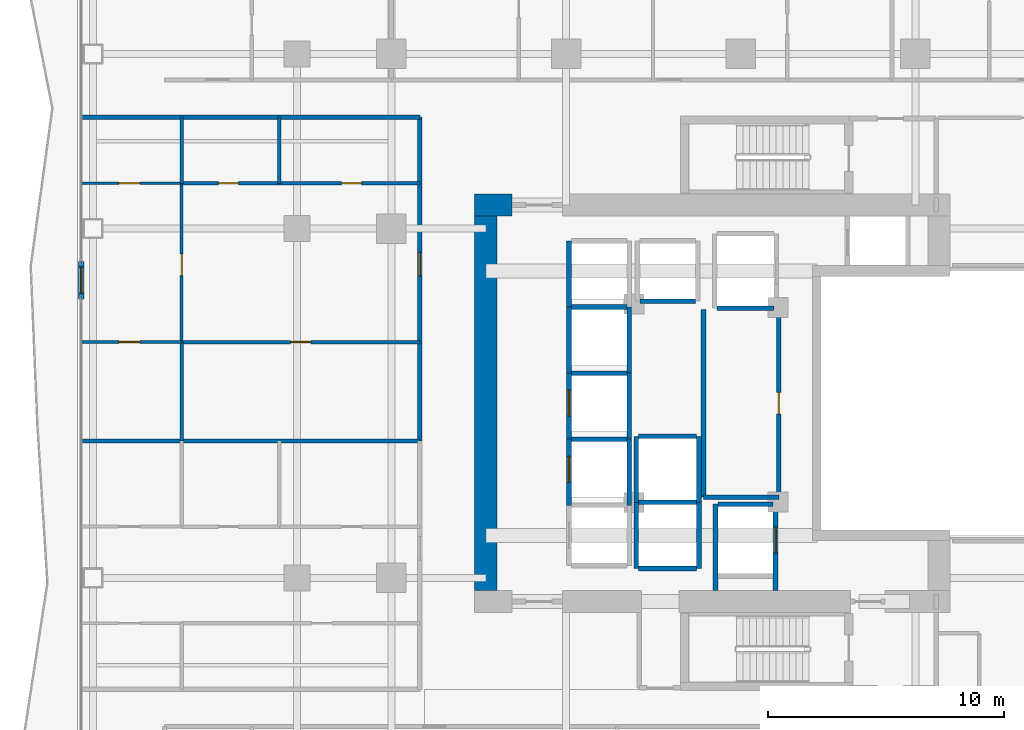
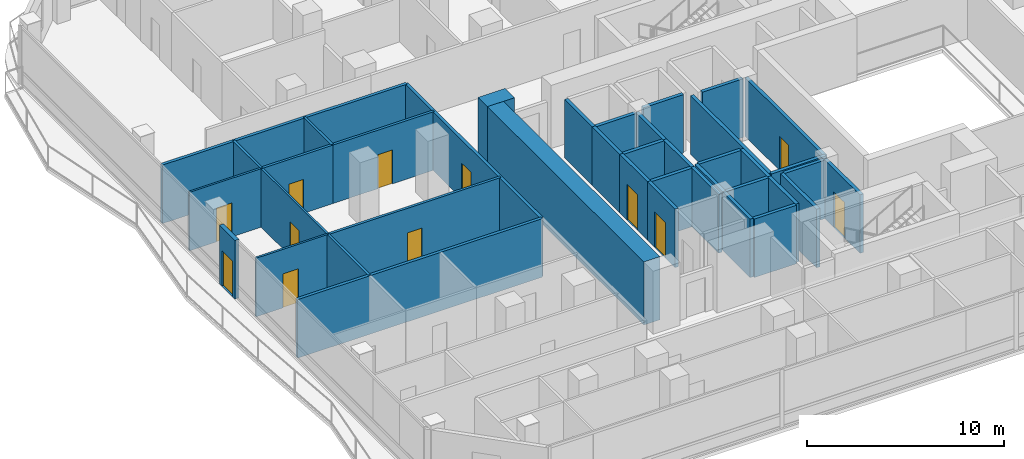
# One storey, part 20 of 28: 40 walls, 12 doors, 12 openings.
"""IFC4 building model written with IfcOpenShell, lengths in metres."""

from ifc_helpers import new_model, si_unit, direction, frame, frame_2d, origin, place, context, subcontext, project, spatial, rectangle, extrude, material, layer, layer_set, type_object, element, fill, save


model = new_model("IFC4")

# Units and contexts
model_context = context("Model", 3, precision=1e-05, world=origin(), true_north=direction((0.0, 1.0)))
body_context = subcontext(model_context, "Body", "Model", "MODEL_VIEW")
ifc_project = project(units=[si_unit("LENGTHUNIT", "METRE"), si_unit("AREAUNIT", "SQUARE_METRE"), si_unit("VOLUMEUNIT", "CUBIC_METRE"), si_unit("PLANEANGLEUNIT", "RADIAN"), si_unit("MASSUNIT", "GRAM", prefix="KILO")], contexts=[model_context])

# Site, building, storey
site_placement = place(None, origin())
site = spatial("IfcSite", under=ifc_project, at=site_placement, CompositionType="ELEMENT")
building_placement = place(site_placement, origin())
building = spatial("IfcBuilding", under=site, at=building_placement, Name="Khorvyn Point Tower", CompositionType="ELEMENT")
storey_placement = place(building_placement, frame((0.0, 0.0, 104.699951171875)))
storey = spatial("IfcBuildingStorey", under=building, at=storey_placement, Name="L26", CompositionType="ELEMENT", Elevation=104.699951171875)

# Wall, opening, door
ifc_material_1 = material(Name="Double acoustic gypsum on twin steel stud", Category="steel")
ifc_layer_1 = layer(ifc_material_1, 0.179931640625)
ifc_layer_set_1 = layer_set([ifc_layer_1], Name="Acoustic Double-Stud Apartment Demising Wall 180")
wall_type_1 = type_object("IfcWallType", Name="Acoustic Double-Stud Apartment Demising Wall 180", PredefinedType="PARTITIONING", material=ifc_layer_set_1)
wall_1_placement = place(storey_placement, frame((-13.60009765625, -1.60009765625, 0.0), z_axis=(0.0, 0.0, 1.0), x_axis=(0.0, 1.0, 0.0)))
wall_1 = element("IfcWall", 1, at=wall_1_placement, inside=storey, type_object=wall_type_1, Name="Wall", PredefinedType="PARTITIONING", context=body_context, shape_type="SweptSolid", body=[
    extrude(rectangle(XDim=13.72021484375, YDim=0.179931640625, at=frame_2d((6.860107421875, 0.0))), origin(), (0.0, 0.0, 1.0), 3.6201171875),
])
opening_1_placement = place(wall_1_placement, frame((6.989013671875, 0.0, 0.0)))
opening_1 = element("IfcOpeningElement", 2, at=opening_1_placement, cuts=wall_1, Name="Opening ID-AP60", PredefinedType="OPENING", context=body_context, shape_type="SweptSolid", body=[
    extrude(rectangle(XDim=1.0, YDim=2.199951171875, at=frame_2d((0.5, 1.10009765625))), frame((0.0, 0.099853515625, 0.0), z_axis=(0.0, -1.0, 0.0), x_axis=(1.0, 0.0, 0.0)), (0.0, 0.0, 1.0), 0.199951171875),
])
ifc_material_2 = material(Name="Engineered hardwood fire-rated leaf", Category="wood")
door_type_1 = type_object("IfcDoorType", Name="Acoustic Solid-Core Timber Apartment Entrance Door 1000x2200", OperationType="NOTDEFINED", PredefinedType="DOOR", material=ifc_material_2)
door_1_placement = place(opening_1_placement, origin())
door_1 = element("IfcDoor", 3, at=door_1_placement, inside=storey, type_object=door_type_1, Name="Door", OperationType="SINGLE_SWING_LEFT", OverallHeight=2.199951171875, OverallWidth=1.0, PredefinedType="DOOR", context=body_context, shape_type="SweptSolid", body=[
    extrude(rectangle(XDim=1.0, YDim=2.199951171875, at=frame_2d((0.5, 1.10009765625))), frame((0.0, 0.02490234375, 0.0), z_axis=(0.0, -1.0, 0.0), x_axis=(1.0, 0.0, 0.0)), (0.0, 0.0, 1.0), 0.050048828125),
])
fill(opening_1, door_1)

# Walls
for number, where, z_axis, x_axis, name in (
    (4, (-27.929931640625, -1.60009765625, 0.0), (0.0, 0.0, 1.0), (1.0, 0.0, 0.0), "Wall"),
    (5, (-27.929931640625, 12.1201171875, 0.0), (0.0, 0.0, 1.0), (1.0, 0.0, 0.0), "Wall"),
):
    element("IfcWall", number, at=place(storey_placement, frame(where, z_axis=z_axis, x_axis=x_axis)), inside=storey, type_object=wall_type_1, Name=name, PredefinedType="PARTITIONING", context=body_context, shape_type="SweptSolid", body=[
        extrude(rectangle(XDim=14.329833984375, YDim=0.179931640625, at=frame_2d((7.1650390625, 0.0))), origin(), (0.0, 0.0, 1.0), 3.6201171875),
    ])

# Wall, opening, door
ifc_material_3 = material(Name="Pale anodised aluminium rainscreen on steel stud", Category="steel")
ifc_layer_2 = layer(ifc_material_3, 0.239990234375)
ifc_layer_set_2 = layer_set([ifc_layer_2], Name="Anodised Aluminium Insulated Corner Spandrel Wall 240")
wall_type_2 = type_object("IfcWallType", Name="Anodised Aluminium Insulated Corner Spandrel Wall 240", PredefinedType="SOLIDWALL", material=ifc_layer_set_2)
wall_2_placement = place(storey_placement, frame((-27.949951171875, 4.419921875, 0.0), z_axis=(0.0, 0.0, 1.0), x_axis=(0.0, 1.0, 0.0)))
wall_2 = element("IfcWall", 6, at=wall_2_placement, inside=storey, type_object=wall_type_2, Name="L26 West Outdoor Threshold Wall", PredefinedType="SOLIDWALL", context=body_context, shape_type="SweptSolid", body=[
    extrude(rectangle(XDim=1.580078125, YDim=0.239990234375, at=frame_2d((0.7900390625, 0.0))), origin(), (0.0, 0.0, 1.0), 3.6201171875),
])
opening_2_placement = place(wall_2_placement, frame((0.239990234375, 0.0, 0.0)))
opening_2 = element("IfcOpeningElement", 7, at=opening_2_placement, cuts=wall_2, Name="Opening BD-1122", PredefinedType="OPENING", context=body_context, shape_type="SweptSolid", body=[
    extrude(rectangle(XDim=1.10009765625, YDim=2.199951171875, at=frame_2d((0.550048828125, 1.10009765625))), frame((0.0, 0.1298828125, 0.0), z_axis=(0.0, -1.0, 0.0), x_axis=(1.0, 0.0, 0.0)), (0.0, 0.0, 1.0), 0.260009765625),
])
ifc_material_4 = material(Name="Anodised aluminium 6063-T6 and laminated Low-E glass", Category="aluminium")
door_type_2 = type_object("IfcDoorType", Name="Glazed Balcony and Terrace Threshold Door 1100x2200", OperationType="NOTDEFINED", PredefinedType="DOOR", material=ifc_material_4)
door_2_placement = place(opening_2_placement, origin())
door_2 = element("IfcDoor", 8, at=door_2_placement, inside=storey, type_object=door_type_2, Name="L26 West Glazed Balcony Outdoor Door", OperationType="SINGLE_SWING_LEFT", OverallHeight=2.199951171875, OverallWidth=1.10009765625, PredefinedType="DOOR", context=body_context, shape_type="SweptSolid", body=[
    extrude(rectangle(XDim=1.10009765625, YDim=2.199951171875, at=frame_2d((0.550048828125, 1.10009765625))), frame((0.0, 0.02490234375, 0.0), z_axis=(0.0, -1.0, 0.0), x_axis=(1.0, 0.0, 0.0)), (0.0, 0.0, 1.0), 0.050048828125),
])
fill(opening_2, door_2)

ifc_material_5 = material(Name="Concrete C40/50", Category="concrete")
ifc_layer_3 = layer(ifc_material_5, 0.199951171875)
ifc_layer_set_3 = layer_set([ifc_layer_3], Name="Concrete C40/50 Fire-Lobby Compartment Wall 200")
wall_type_3 = type_object("IfcWallType", Name="Concrete C40/50 Fire-Lobby Compartment Wall 200", PredefinedType="SOLIDWALL", material=ifc_layer_set_3)
wall_3_placement = place(storey_placement, frame((1.610107421875, -3.97998046875, 0.0), z_axis=(0.0, 0.0, 1.0), x_axis=(0.0, 1.0, 0.0)))
wall_3 = element("IfcWall", 9, at=wall_3_placement, inside=storey, type_object=wall_type_3, Name="Wall", PredefinedType="SOLIDWALL", context=body_context, shape_type="SweptSolid", body=[
    extrude(rectangle(XDim=7.9599609375, YDim=0.199951171875, at=frame_2d((3.97998046875, 0.0))), origin(), (0.0, 0.0, 1.0), 3.6201171875),
])
opening_3_placement = place(wall_3_placement, frame((3.52001953125, 0.0, 0.0)))
opening_3 = element("IfcOpeningElement", 10, at=opening_3_placement, cuts=wall_3, Name="Opening ID-RS60", PredefinedType="OPENING", context=body_context, shape_type="SweptSolid", body=[
    extrude(rectangle(XDim=0.919921875, YDim=2.10009765625, at=frame_2d((0.4599609375, 1.050048828125))), frame((0.0, 0.10986328125, 0.0), z_axis=(0.0, -1.0, 0.0), x_axis=(1.0, 0.0, 0.0)), (0.0, 0.0, 1.0), 0.219970703125),
])
ifc_material_6 = material(Name="Galvanised powder-coated steel", Category="steel")
door_type_3 = type_object("IfcDoorType", Name="Fire-Rated Riser and Store Steel Door 920x2100", OperationType="NOTDEFINED", PredefinedType="DOOR", material=ifc_material_6)
door_3_placement = place(opening_3_placement, origin())
door_3 = element("IfcDoor", 11, at=door_3_placement, inside=storey, type_object=door_type_3, Name="Door", OperationType="SINGLE_SWING_RIGHT", OverallHeight=2.10009765625, OverallWidth=0.919921875, PredefinedType="DOOR", context=body_context, shape_type="SweptSolid", body=[
    extrude(rectangle(XDim=0.919921875, YDim=2.10009765625, at=frame_2d((0.4599609375, 1.050048828125))), frame((0.0, 0.02490234375, 0.0), z_axis=(0.0, -1.0, 0.0), x_axis=(1.0, 0.0, 0.0)), (0.0, 0.0, 1.0), 0.050048828125),
])
fill(opening_3, door_3)

# Walls
wall_4_placement = place(storey_placement, frame((-1.580078125, -3.97998046875, 0.0), z_axis=(0.0, 0.0, 1.0), x_axis=(0.0, 1.0, 0.0)))
element("IfcWall", 12, at=wall_4_placement, inside=storey, type_object=wall_type_3, Name="Wall", PredefinedType="SOLIDWALL", context=body_context, shape_type="SweptSolid", body=[
    extrude(rectangle(XDim=7.9599609375, YDim=0.199951171875, at=frame_2d((3.97998046875, 0.0))), origin(), (0.0, 0.0, 1.0), 3.6201171875),
])
wall_5_placement = place(storey_placement, frame((-1.580078125, -3.97998046875, 0.0), z_axis=(0.0, 0.0, 1.0), x_axis=(1.0, 0.0, 0.0)))
element("IfcWall", 13, at=wall_5_placement, inside=storey, type_object=wall_type_3, Name="Wall", PredefinedType="SOLIDWALL", context=body_context, shape_type="SweptSolid", body=[
    extrude(rectangle(XDim=3.190185546875, YDim=0.199951171875, at=frame_2d((1.59521484375, 0.0))), origin(), (0.0, 0.0, 1.0), 3.6201171875),
])

# Wall, opening, door
ifc_layer_4 = layer(ifc_material_5, 0.199951171875)
ifc_layer_set_4 = layer_set([ifc_layer_4], Name="Concrete C40/50 Structural Hoistway and Stair Shaft Wall 200")
wall_type_4 = type_object("IfcWallType", Name="Concrete C40/50 Structural Hoistway and Stair Shaft Wall 200", PredefinedType="SHEAR", material=ifc_layer_set_4)
wall_6_placement = place(storey_placement, frame((-7.27490234375, -4.324951171875, 0.0), z_axis=(0.0, 0.0, 1.0), x_axis=(0.0, 1.0, 0.0)))
wall_6 = element("IfcWall", 14, at=wall_6_placement, inside=storey, type_object=wall_type_4, Name="Wall", PredefinedType="SHEAR", context=body_context, shape_type="SweptSolid", body=[
    extrude(rectangle(XDim=2.800048828125, YDim=0.199951171875, at=frame_2d((1.39990234375, 0.0))), origin(), (0.0, 0.0, 1.0), 3.6201171875),
])
opening_4_placement = place(wall_6_placement, frame((0.97509765625, 0.0, 0.0)))
opening_4 = element("IfcOpeningElement", 15, at=opening_4_placement, cuts=wall_6, Name="Opening LD-1122", PredefinedType="OPENING", context=body_context, shape_type="SweptSolid", body=[
    extrude(rectangle(XDim=1.10009765625, YDim=2.199951171875, at=frame_2d((0.550048828125, 1.10009765625))), frame((0.0, 0.10986328125, 0.0), z_axis=(0.0, -1.0, 0.0), x_axis=(1.0, 0.0, 0.0)), (0.0, 0.0, 1.0), 0.219970703125),
])
ifc_material_7 = material(Name="Stainless steel 1.4301", Category="steel")
door_type_4 = type_object("IfcDoorType", Name="Stainless Steel Automatic Sliding Lift Landing Door 1100x2200", OperationType="SLIDING_TO_LEFT", PredefinedType="DOOR", material=ifc_material_7)
door_4_placement = place(opening_4_placement, origin())
door_4 = element("IfcDoor", 16, at=door_4_placement, inside=storey, type_object=door_type_4, Name="L26 RL-02 Sliding Lift Landing Door", OperationType="SLIDING_TO_LEFT", OverallHeight=2.199951171875, OverallWidth=1.10009765625, PredefinedType="DOOR", context=body_context, shape_type="SweptSolid", body=[
    extrude(rectangle(XDim=1.10009765625, YDim=2.199951171875, at=frame_2d((0.550048828125, 1.10009765625))), frame((0.0, 0.02490234375, 0.0), z_axis=(0.0, -1.0, 0.0), x_axis=(1.0, 0.0, 0.0)), (0.0, 0.0, 1.0), 0.050048828125),
])
fill(opening_4, door_4)

# Walls
wall_7_placement = place(storey_placement, frame((-4.72509765625, -4.324951171875, 0.0), z_axis=(0.0, 0.0, 1.0), x_axis=(0.0, 1.0, 0.0)))
element("IfcWall", 17, at=wall_7_placement, inside=storey, type_object=wall_type_4, Name="Wall", PredefinedType="SHEAR", context=body_context, shape_type="SweptSolid", body=[
    extrude(rectangle(XDim=2.800048828125, YDim=0.199951171875, at=frame_2d((1.39990234375, 0.0))), origin(), (0.0, 0.0, 1.0), 3.6201171875),
])
wall_8_placement = place(storey_placement, frame((-7.175048828125, -1.52490234375, 0.0), z_axis=(0.0, 0.0, 1.0), x_axis=(1.0, 0.0, 0.0)))
element("IfcWall", 18, at=wall_8_placement, inside=storey, type_object=wall_type_4, Name="Wall", PredefinedType="SHEAR", context=body_context, shape_type="SweptSolid", body=[
    extrude(rectangle(XDim=2.35009765625, YDim=0.199951171875, at=frame_2d((1.175048828125, 0.0))), origin(), (0.0, 0.0, 1.0), 3.6201171875),
])

# Wall, opening, door
wall_9_placement = place(storey_placement, frame((-7.27490234375, -1.52490234375, 0.0), z_axis=(0.0, 0.0, 1.0), x_axis=(0.0, 1.0, 0.0)))
wall_9 = element("IfcWall", 19, at=wall_9_placement, inside=storey, type_object=wall_type_4, Name="Wall", PredefinedType="SHEAR", context=body_context, shape_type="SweptSolid", body=[
    extrude(rectangle(XDim=2.7998046875, YDim=0.199951171875, at=frame_2d((1.39990234375, 0.0))), origin(), (0.0, 0.0, 1.0), 3.6201171875),
])
opening_5_placement = place(wall_9_placement, frame((0.97509765625, 0.0, 0.0)))
opening_5 = element("IfcOpeningElement", 20, at=opening_5_placement, cuts=wall_9, Name="Opening LD-1122", PredefinedType="OPENING", context=body_context, shape_type="SweptSolid", body=[
    extrude(rectangle(XDim=1.10009765625, YDim=2.199951171875, at=frame_2d((0.550048828125, 1.10009765625))), frame((0.0, 0.10986328125, 0.0), z_axis=(0.0, -1.0, 0.0), x_axis=(1.0, 0.0, 0.0)), (0.0, 0.0, 1.0), 0.219970703125),
])
door_5_placement = place(opening_5_placement, origin())
door_5 = element("IfcDoor", 21, at=door_5_placement, inside=storey, type_object=door_type_4, Name="L26 RL-03 Sliding Lift Landing Door", OperationType="SLIDING_TO_LEFT", OverallHeight=2.199951171875, OverallWidth=1.10009765625, PredefinedType="DOOR", context=body_context, shape_type="SweptSolid", body=[
    extrude(rectangle(XDim=1.10009765625, YDim=2.199951171875, at=frame_2d((0.550048828125, 1.10009765625))), frame((0.0, 0.02490234375, 0.0), z_axis=(0.0, -1.0, 0.0), x_axis=(1.0, 0.0, 0.0)), (0.0, 0.0, 1.0), 0.050048828125),
])
fill(opening_5, door_5)

# Walls
wall_10_placement = place(storey_placement, frame((-4.72509765625, -1.52490234375, 0.0), z_axis=(0.0, 0.0, 1.0), x_axis=(0.0, 1.0, 0.0)))
element("IfcWall", 22, at=wall_10_placement, inside=storey, type_object=wall_type_4, Name="Wall", PredefinedType="SHEAR", context=body_context, shape_type="SweptSolid", body=[
    extrude(rectangle(XDim=2.7998046875, YDim=0.199951171875, at=frame_2d((1.39990234375, 0.0))), origin(), (0.0, 0.0, 1.0), 3.6201171875),
])
wall_11_placement = place(storey_placement, frame((-7.175048828125, 1.27490234375, 0.0), z_axis=(0.0, 0.0, 1.0), x_axis=(1.0, 0.0, 0.0)))
element("IfcWall", 23, at=wall_11_placement, inside=storey, type_object=wall_type_4, Name="Wall", PredefinedType="SHEAR", context=body_context, shape_type="SweptSolid", body=[
    extrude(rectangle(XDim=2.35009765625, YDim=0.199951171875, at=frame_2d((1.175048828125, 0.0))), origin(), (0.0, 0.0, 1.0), 3.6201171875),
])
for number, where, z_axis, x_axis, name in (
    (24, (-7.27490234375, 1.27490234375, 0.0), (0.0, 0.0, 1.0), (0.0, 1.0, 0.0), "Wall"),
    (25, (-4.72509765625, 1.27490234375, 0.0), (0.0, 0.0, 1.0), (0.0, 1.0, 0.0), "Wall"),
):
    element("IfcWall", number, at=place(storey_placement, frame(where, z_axis=z_axis, x_axis=x_axis)), inside=storey, type_object=wall_type_4, Name=name, PredefinedType="SHEAR", context=body_context, shape_type="SweptSolid", body=[
        extrude(rectangle(XDim=2.800048828125, YDim=0.199951171875, at=frame_2d((1.39990234375, 0.0))), origin(), (0.0, 0.0, 1.0), 3.6201171875),
    ])
wall_12_placement = place(storey_placement, frame((-7.175048828125, 4.074951171875, 0.0), z_axis=(0.0, 0.0, 1.0), x_axis=(1.0, 0.0, 0.0)))
element("IfcWall", 26, at=wall_12_placement, inside=storey, type_object=wall_type_4, Name="Wall", PredefinedType="SHEAR", context=body_context, shape_type="SweptSolid", body=[
    extrude(rectangle(XDim=2.35009765625, YDim=0.199951171875, at=frame_2d((1.175048828125, 0.0))), origin(), (0.0, 0.0, 1.0), 3.6201171875),
])
wall_13_placement = place(storey_placement, frame((-7.27490234375, 4.074951171875, 0.0), z_axis=(0.0, 0.0, 1.0), x_axis=(0.0, 1.0, 0.0)))
element("IfcWall", 27, at=wall_13_placement, inside=storey, type_object=wall_type_4, Name="Wall", PredefinedType="SHEAR", context=body_context, shape_type="SweptSolid", body=[
    extrude(rectangle(XDim=2.800048828125, YDim=0.199951171875, at=frame_2d((1.39990234375, 0.0))), origin(), (0.0, 0.0, 1.0), 3.6201171875),
])
wall_14_placement = place(storey_placement, frame((-4.27490234375, 4.324951171875, 0.0), z_axis=(0.0, 0.0, 1.0), x_axis=(1.0, 0.0, 0.0)))
element("IfcWall", 28, at=wall_14_placement, inside=storey, type_object=wall_type_4, Name="Wall", PredefinedType="SHEAR", context=body_context, shape_type="SweptSolid", body=[
    extrude(rectangle(XDim=2.349853515625, YDim=0.199951171875, at=frame_2d((1.1748046875, 0.0))), origin(), (0.0, 0.0, 1.0), 3.6201171875),
])
for number, where, z_axis, x_axis, name in (
    (29, (-4.425048828125, -7.0, 0.0), (0.0, 0.0, 1.0), (0.0, 1.0, 0.0), "Wall"),
    (30, (-1.77490234375, -7.0, 0.0), (0.0, 0.0, 1.0), (0.0, 1.0, 0.0), "Wall"),
):
    element("IfcWall", number, at=place(storey_placement, frame(where, z_axis=z_axis, x_axis=x_axis)), inside=storey, type_object=wall_type_4, Name=name, PredefinedType="SHEAR", context=body_context, shape_type="SweptSolid", body=[
        extrude(rectangle(XDim=2.800048828125, YDim=0.199951171875, at=frame_2d((1.39990234375, 0.0))), origin(), (0.0, 0.0, 1.0), 3.6201171875),
    ])
for number, where, z_axis, x_axis, name in (
    (31, (-4.324951171875, -7.0, 0.0), (0.0, 0.0, 1.0), (1.0, 0.0, 0.0), "Wall"),
    (32, (-4.324951171875, -4.199951171875, 0.0), (0.0, 0.0, 1.0), (1.0, 0.0, 0.0), "Wall"),
):
    element("IfcWall", number, at=place(storey_placement, frame(where, z_axis=z_axis, x_axis=x_axis)), inside=storey, type_object=wall_type_4, Name=name, PredefinedType="SHEAR", context=body_context, shape_type="SweptSolid", body=[
        extrude(rectangle(XDim=2.449951171875, YDim=0.199951171875, at=frame_2d((1.22509765625, 0.0))), origin(), (0.0, 0.0, 1.0), 3.6201171875),
    ])
for number, where, z_axis, x_axis, name in (
    (33, (-4.425048828125, -4.199951171875, 0.0), (0.0, 0.0, 1.0), (0.0, 1.0, 0.0), "Wall"),
    (34, (-1.77490234375, -4.199951171875, 0.0), (0.0, 0.0, 1.0), (0.0, 1.0, 0.0), "Wall"),
):
    element("IfcWall", number, at=place(storey_placement, frame(where, z_axis=z_axis, x_axis=x_axis)), inside=storey, type_object=wall_type_4, Name=name, PredefinedType="SHEAR", context=body_context, shape_type="SweptSolid", body=[
        extrude(rectangle(XDim=2.800048828125, YDim=0.199951171875, at=frame_2d((1.39990234375, 0.0))), origin(), (0.0, 0.0, 1.0), 3.6201171875),
    ])
wall_15_placement = place(storey_placement, frame((-4.324951171875, -1.39990234375, 0.0), z_axis=(0.0, 0.0, 1.0), x_axis=(1.0, 0.0, 0.0)))
element("IfcWall", 35, at=wall_15_placement, inside=storey, type_object=wall_type_4, Name="Wall", PredefinedType="SHEAR", context=body_context, shape_type="SweptSolid", body=[
    extrude(rectangle(XDim=2.449951171875, YDim=0.199951171875, at=frame_2d((1.22509765625, 0.0))), origin(), (0.0, 0.0, 1.0), 3.6201171875),
])
wall_16_placement = place(storey_placement, frame((-1.0, 4.02490234375, 0.0), z_axis=(0.0, 0.0, 1.0), x_axis=(1.0, 0.0, 0.0)))
element("IfcWall", 36, at=wall_16_placement, inside=storey, type_object=wall_type_4, Name="Wall", PredefinedType="SHEAR", context=body_context, shape_type="SweptSolid", body=[
    extrude(rectangle(XDim=2.39990234375, YDim=0.199951171875, at=frame_2d((1.199951171875, 0.0))), origin(), (0.0, 0.0, 1.0), 3.6201171875),
])
wall_17_placement = place(storey_placement, frame((-1.074951171875, -7.925048828125, 0.0), z_axis=(0.0, 0.0, 1.0), x_axis=(0.0, 1.0, 0.0)))
element("IfcWall", 37, at=wall_17_placement, inside=storey, type_object=wall_type_4, Name="Wall", PredefinedType="SHEAR", context=body_context, shape_type="SweptSolid", body=[
    extrude(rectangle(XDim=3.650146484375, YDim=0.199951171875, at=frame_2d((1.8251953125, 0.0))), origin(), (0.0, 0.0, 1.0), 3.6201171875),
])

# Wall, opening, door
wall_18_placement = place(storey_placement, frame((1.47509765625, -7.925048828125, 0.0), z_axis=(0.0, 0.0, 1.0), x_axis=(0.0, 1.0, 0.0)))
wall_18 = element("IfcWall", 38, at=wall_18_placement, inside=storey, type_object=wall_type_4, Name="Wall", PredefinedType="SHEAR", context=body_context, shape_type="SweptSolid", body=[
    extrude(rectangle(XDim=3.650146484375, YDim=0.199951171875, at=frame_2d((1.8251953125, 0.0))), origin(), (0.0, 0.0, 1.0), 3.6201171875),
])
opening_6_placement = place(wall_18_placement, frame((1.574951171875, 0.0, 0.0)))
opening_6 = element("IfcOpeningElement", 39, at=opening_6_placement, cuts=wall_18, Name="Opening LD-1122", PredefinedType="OPENING", context=body_context, shape_type="SweptSolid", body=[
    extrude(rectangle(XDim=1.10009765625, YDim=2.199951171875, at=frame_2d((0.550048828125, 1.10009765625))), frame((0.0, 0.10986328125, 0.0), z_axis=(0.0, -1.0, 0.0), x_axis=(1.0, 0.0, 0.0)), (0.0, 0.0, 1.0), 0.219970703125),
])
door_6_placement = place(opening_6_placement, origin())
door_6 = element("IfcDoor", 40, at=door_6_placement, inside=storey, type_object=door_type_4, Name="L26 FF-01 Sliding Lift Landing Door", OperationType="SLIDING_TO_LEFT", OverallHeight=2.199951171875, OverallWidth=1.10009765625, PredefinedType="DOOR", context=body_context, shape_type="SweptSolid", body=[
    extrude(rectangle(XDim=1.10009765625, YDim=2.199951171875, at=frame_2d((0.550048828125, 1.10009765625))), frame((0.0, 0.02490234375, 0.0), z_axis=(0.0, -1.0, 0.0), x_axis=(1.0, 0.0, 0.0)), (0.0, 0.0, 1.0), 0.050048828125),
])
fill(opening_6, door_6)

# Walls
wall_19_placement = place(storey_placement, frame((-0.97509765625, -4.27490234375, 0.0), z_axis=(0.0, 0.0, 1.0), x_axis=(1.0, 0.0, 0.0)))
element("IfcWall", 41, at=wall_19_placement, inside=storey, type_object=wall_type_4, Name="Wall", PredefinedType="SHEAR", context=body_context, shape_type="SweptSolid", body=[
    extrude(rectangle(XDim=2.35009765625, YDim=0.199951171875, at=frame_2d((1.175048828125, 0.0))), origin(), (0.0, 0.0, 1.0), 3.6201171875),
])
ifc_material_8 = material(Name="Concrete C50/60", Category="concrete")
ifc_layer_5 = layer(ifc_material_8, 0.949951171875)
ifc_layer_set_5 = layer_set([ifc_layer_5], Name="Concrete C50/60 Core Shear Wall 950")
wall_type_5 = type_object("IfcWallType", Name="Concrete C50/60 Core Shear Wall 950", PredefinedType="SHEAR", material=ifc_layer_set_5)
wall_20_placement = place(storey_placement, frame((-11.27490234375, 8.39990234375, 0.0), z_axis=(0.0, 0.0, 1.0), x_axis=(1.0, 0.0, 0.0)))
element("IfcWall", 42, at=wall_20_placement, inside=storey, type_object=wall_type_5, Name="Wall", PredefinedType="SHEAR", context=body_context, shape_type="SweptSolid", body=[
    extrude(rectangle(XDim=1.574951171875, YDim=0.949951171875, at=frame_2d((0.78759765625, 0.0))), origin(), (0.0, 0.0, 1.0), 3.900146484375),
])
wall_21_placement = place(storey_placement, frame((-10.800048828125, -7.925048828125, 0.0), z_axis=(0.0, 0.0, 1.0), x_axis=(0.0, 1.0, 0.0)))
element("IfcWall", 43, at=wall_21_placement, inside=storey, type_object=wall_type_5, Name="Wall", PredefinedType="SHEAR", context=body_context, shape_type="SweptSolid", body=[
    extrude(rectangle(XDim=15.85009765625, YDim=0.949951171875, at=frame_2d((7.925048828125, 0.0))), origin(), (0.0, 0.0, 1.0), 3.900146484375),
])

# Wall, opening, door
ifc_material_9 = material(Name="Gypsum plasterboard on steel stud", Category="steel")
ifc_layer_6 = layer(ifc_material_9, 0.1201171875)
ifc_layer_set_6 = layer_set([ifc_layer_6], Name="Gypsum Acoustic Stud Room Partition Wall 120")
wall_type_6 = type_object("IfcWallType", Name="Gypsum Acoustic Stud Room Partition Wall 120", PredefinedType="PARTITIONING", material=ifc_layer_set_6)
wall_22_placement = place(storey_placement, frame((-23.68994140625, 2.591064453125, 0.0), z_axis=(0.0, 0.0, 1.0), x_axis=(0.0, 1.0, 0.0)))
wall_22 = element("IfcWall", 44, at=wall_22_placement, inside=storey, type_object=wall_type_6, Name="Wall", PredefinedType="PARTITIONING", context=body_context, shape_type="SweptSolid", body=[
    extrude(rectangle(XDim=6.72900390625, YDim=0.1201171875, at=frame_2d((3.364501953125, 0.0))), origin(), (0.0, 0.0, 1.0), 3.6201171875),
])
opening_7_placement = place(wall_22_placement, frame((2.82568359375, 0.0, 0.0)))
opening_7 = element("IfcOpeningElement", 45, at=opening_7_placement, cuts=wall_22, Name="Opening ID-RM90", PredefinedType="OPENING", context=body_context, shape_type="SweptSolid", body=[
    extrude(rectangle(XDim=0.89990234375, YDim=2.10009765625, at=frame_2d((0.449951171875, 1.050048828125))), frame((0.0, 0.070068359375, 0.0), z_axis=(0.0, -1.0, 0.0), x_axis=(1.0, 0.0, 0.0)), (0.0, 0.0, 1.0), 0.14013671875),
])
ifc_material_10 = material(Name="Engineered oak veneer timber", Category="wood")
door_type_5 = type_object("IfcDoorType", Name="Flush Engineered Timber Room Door 900x2100", OperationType="NOTDEFINED", PredefinedType="DOOR", material=ifc_material_10)
door_7_placement = place(opening_7_placement, origin())
door_7 = element("IfcDoor", 46, at=door_7_placement, inside=storey, type_object=door_type_5, Name="Door", OperationType="SINGLE_SWING_RIGHT", OverallHeight=2.10009765625, OverallWidth=0.89990234375, PredefinedType="DOOR", context=body_context, shape_type="SweptSolid", body=[
    extrude(rectangle(XDim=0.89990234375, YDim=2.10009765625, at=frame_2d((0.449951171875, 1.050048828125))), frame((0.0, 0.02490234375, 0.0), z_axis=(0.0, -1.0, 0.0), x_axis=(1.0, 0.0, 0.0)), (0.0, 0.0, 1.0), 0.050048828125),
])
fill(opening_7, door_7)

wall_23_placement = place(storey_placement, frame((-27.929931640625, 2.591064453125, 0.0), z_axis=(0.0, 0.0, 1.0), x_axis=(1.0, 0.0, 0.0)))
wall_23 = element("IfcWall", 47, at=wall_23_placement, inside=storey, type_object=wall_type_6, Name="Wall", PredefinedType="PARTITIONING", context=body_context, shape_type="SweptSolid", body=[
    extrude(rectangle(XDim=4.239990234375, YDim=0.1201171875, at=frame_2d((2.1201171875, 0.0))), origin(), (0.0, 0.0, 1.0), 3.6201171875),
])
opening_8_placement = place(wall_23_placement, frame((1.581298828125, 0.0, 0.0)))
opening_8 = element("IfcOpeningElement", 48, at=opening_8_placement, cuts=wall_23, Name="Opening ID-RM90", PredefinedType="OPENING", context=body_context, shape_type="SweptSolid", body=[
    extrude(rectangle(XDim=0.89990234375, YDim=2.10009765625, at=frame_2d((0.449951171875, 1.050048828125))), frame((0.0, 0.070068359375, 0.0), z_axis=(0.0, -1.0, 0.0), x_axis=(1.0, 0.0, 0.0)), (0.0, 0.0, 1.0), 0.14013671875),
])
door_8_placement = place(opening_8_placement, origin())
door_8 = element("IfcDoor", 49, at=door_8_placement, inside=storey, type_object=door_type_5, Name="Door", OperationType="SINGLE_SWING_RIGHT", OverallHeight=2.10009765625, OverallWidth=0.89990234375, PredefinedType="DOOR", context=body_context, shape_type="SweptSolid", body=[
    extrude(rectangle(XDim=0.89990234375, YDim=2.10009765625, at=frame_2d((0.449951171875, 1.050048828125))), frame((0.0, 0.02490234375, 0.0), z_axis=(0.0, -1.0, 0.0), x_axis=(1.0, 0.0, 0.0)), (0.0, 0.0, 1.0), 0.050048828125),
])
fill(opening_8, door_8)

wall_24_placement = place(storey_placement, frame((-27.929931640625, 9.320068359375, 0.0), z_axis=(0.0, 0.0, 1.0), x_axis=(1.0, 0.0, 0.0)))
wall_24 = element("IfcWall", 50, at=wall_24_placement, inside=storey, type_object=wall_type_6, Name="Wall", PredefinedType="PARTITIONING", context=body_context, shape_type="SweptSolid", body=[
    extrude(rectangle(XDim=4.239990234375, YDim=0.1201171875, at=frame_2d((2.1201171875, 0.0))), origin(), (0.0, 0.0, 1.0), 3.6201171875),
])
opening_9_placement = place(wall_24_placement, frame((1.581298828125, 0.0, 0.0)))
opening_9 = element("IfcOpeningElement", 51, at=opening_9_placement, cuts=wall_24, Name="Opening ID-RM90", PredefinedType="OPENING", context=body_context, shape_type="SweptSolid", body=[
    extrude(rectangle(XDim=0.89990234375, YDim=2.10009765625, at=frame_2d((0.449951171875, 1.050048828125))), frame((0.0, 0.070068359375, 0.0), z_axis=(0.0, -1.0, 0.0), x_axis=(1.0, 0.0, 0.0)), (0.0, 0.0, 1.0), 0.14013671875),
])
door_9_placement = place(opening_9_placement, origin())
door_9 = element("IfcDoor", 52, at=door_9_placement, inside=storey, type_object=door_type_5, Name="Door", OperationType="SINGLE_SWING_LEFT", OverallHeight=2.10009765625, OverallWidth=0.89990234375, PredefinedType="DOOR", context=body_context, shape_type="SweptSolid", body=[
    extrude(rectangle(XDim=0.89990234375, YDim=2.10009765625, at=frame_2d((0.449951171875, 1.050048828125))), frame((0.0, 0.02490234375, 0.0), z_axis=(0.0, -1.0, 0.0), x_axis=(1.0, 0.0, 0.0)), (0.0, 0.0, 1.0), 0.050048828125),
])
fill(opening_9, door_9)

ifc_material_11 = material(Name="Moisture-resistant gypsum and cement board", Category="gypsum")
ifc_layer_7 = layer(ifc_material_11, 0.14990234375)
ifc_layer_set_7 = layer_set([ifc_layer_7], Name="Moisture-Resistant Wet-Room Partition Wall 150")
wall_type_7 = type_object("IfcWallType", Name="Moisture-Resistant Wet-Room Partition Wall 150", PredefinedType="PARTITIONING", material=ifc_layer_set_7)
wall_25_placement = place(storey_placement, frame((-23.68994140625, 9.320068359375, 0.0), z_axis=(0.0, 0.0, 1.0), x_axis=(1.0, 0.0, 0.0)))
wall_25 = element("IfcWall", 53, at=wall_25_placement, inside=storey, type_object=wall_type_7, Name="Wall", PredefinedType="PARTITIONING", context=body_context, shape_type="SweptSolid", body=[
    extrude(rectangle(XDim=4.136962890625, YDim=0.14990234375, at=frame_2d((2.068359375, 0.0))), origin(), (0.0, 0.0, 1.0), 3.6201171875),
])
opening_10_placement = place(wall_25_placement, frame((1.55615234375, 0.0, 0.0)))
opening_10 = element("IfcOpeningElement", 54, at=opening_10_placement, cuts=wall_25, Name="Opening ID-WC85", PredefinedType="OPENING", context=body_context, shape_type="SweptSolid", body=[
    extrude(rectangle(XDim=0.85009765625, YDim=2.10009765625, at=frame_2d((0.425048828125, 1.050048828125))), frame((0.0, 0.0849609375, 0.0), z_axis=(0.0, -1.0, 0.0), x_axis=(1.0, 0.0, 0.0)), (0.0, 0.0, 1.0), 0.169921875),
])
ifc_material_12 = material(Name="High-pressure laminate on moisture-resistant core", Category="wood")
door_type_6 = type_object("IfcDoorType", Name="Moisture-Resistant Accessible Washroom Door 850x2100", OperationType="NOTDEFINED", PredefinedType="DOOR", material=ifc_material_12)
door_10_placement = place(opening_10_placement, origin())
door_10 = element("IfcDoor", 55, at=door_10_placement, inside=storey, type_object=door_type_6, Name="Door", OperationType="SINGLE_SWING_LEFT", OverallHeight=2.10009765625, OverallWidth=0.85009765625, PredefinedType="DOOR", context=body_context, shape_type="SweptSolid", body=[
    extrude(rectangle(XDim=0.85009765625, YDim=2.10009765625, at=frame_2d((0.425048828125, 1.050048828125))), frame((0.0, 0.02490234375, 0.0), z_axis=(0.0, -1.0, 0.0), x_axis=(1.0, 0.0, 0.0)), (0.0, 0.0, 1.0), 0.050048828125),
])
fill(opening_10, door_10)

wall_26_placement = place(storey_placement, frame((-19.552978515625, 9.320068359375, 0.0), z_axis=(0.0, 0.0, 1.0), x_axis=(1.0, 0.0, 0.0)))
wall_26 = element("IfcWall", 56, at=wall_26_placement, inside=storey, type_object=wall_type_7, Name="Wall", PredefinedType="PARTITIONING", context=body_context, shape_type="SweptSolid", body=[
    extrude(rectangle(XDim=5.952880859375, YDim=0.14990234375, at=frame_2d((2.9765625, 0.0))), origin(), (0.0, 0.0, 1.0), 3.6201171875),
])
opening_11_placement = place(wall_26_placement, frame((2.64013671875, 0.0, 0.0)))
opening_11 = element("IfcOpeningElement", 57, at=opening_11_placement, cuts=wall_26, Name="Opening ID-WC85", PredefinedType="OPENING", context=body_context, shape_type="SweptSolid", body=[
    extrude(rectangle(XDim=0.85009765625, YDim=2.10009765625, at=frame_2d((0.425048828125, 1.050048828125))), frame((0.0, 0.0849609375, 0.0), z_axis=(0.0, -1.0, 0.0), x_axis=(1.0, 0.0, 0.0)), (0.0, 0.0, 1.0), 0.169921875),
])
door_11_placement = place(opening_11_placement, origin())
door_11 = element("IfcDoor", 58, at=door_11_placement, inside=storey, type_object=door_type_6, Name="Door", OperationType="SINGLE_SWING_RIGHT", OverallHeight=2.10009765625, OverallWidth=0.85009765625, PredefinedType="DOOR", context=body_context, shape_type="SweptSolid", body=[
    extrude(rectangle(XDim=0.85009765625, YDim=2.10009765625, at=frame_2d((0.425048828125, 1.050048828125))), frame((0.0, 0.02490234375, 0.0), z_axis=(0.0, -1.0, 0.0), x_axis=(1.0, 0.0, 0.0)), (0.0, 0.0, 1.0), 0.050048828125),
])
fill(opening_11, door_11)

wall_27_placement = place(storey_placement, frame((-23.68994140625, 2.591064453125, 0.0), z_axis=(0.0, 0.0, 1.0), x_axis=(1.0, 0.0, 0.0)))
wall_27 = element("IfcWall", 59, at=wall_27_placement, inside=storey, type_object=wall_type_7, Name="Wall", PredefinedType="PARTITIONING", context=body_context, shape_type="SweptSolid", body=[
    extrude(rectangle(XDim=10.08984375, YDim=0.14990234375, at=frame_2d((5.044921875, 0.0))), origin(), (0.0, 0.0, 1.0), 3.6201171875),
])
opening_12_placement = place(wall_27_placement, frame((4.6201171875, 0.0, 0.0)))
opening_12 = element("IfcOpeningElement", 60, at=opening_12_placement, cuts=wall_27, Name="Opening ID-WC85", PredefinedType="OPENING", context=body_context, shape_type="SweptSolid", body=[
    extrude(rectangle(XDim=0.85009765625, YDim=2.10009765625, at=frame_2d((0.425048828125, 1.050048828125))), frame((0.0, 0.0849609375, 0.0), z_axis=(0.0, -1.0, 0.0), x_axis=(1.0, 0.0, 0.0)), (0.0, 0.0, 1.0), 0.169921875),
])
door_12_placement = place(opening_12_placement, origin())
door_12 = element("IfcDoor", 61, at=door_12_placement, inside=storey, type_object=door_type_6, Name="Door", OperationType="SINGLE_SWING_LEFT", OverallHeight=2.10009765625, OverallWidth=0.85009765625, PredefinedType="DOOR", context=body_context, shape_type="SweptSolid", body=[
    extrude(rectangle(XDim=0.85009765625, YDim=2.10009765625, at=frame_2d((0.425048828125, 1.050048828125))), frame((0.0, 0.02490234375, 0.0), z_axis=(0.0, -1.0, 0.0), x_axis=(1.0, 0.0, 0.0)), (0.0, 0.0, 1.0), 0.050048828125),
])
fill(opening_12, door_12)

# Walls
wall_28_placement = place(storey_placement, frame((-19.552978515625, 9.320068359375, 0.0), z_axis=(0.0, 0.0, 1.0), x_axis=(0.0, 1.0, 0.0)))
element("IfcWall", 62, at=wall_28_placement, inside=storey, type_object=wall_type_7, Name="Wall", PredefinedType="PARTITIONING", context=body_context, shape_type="SweptSolid", body=[
    extrude(rectangle(XDim=2.800048828125, YDim=0.14990234375, at=frame_2d((1.39990234375, 0.0))), origin(), (0.0, 0.0, 1.0), 3.6201171875),
])
wall_29_placement = place(storey_placement, frame((-23.68994140625, -1.60009765625, 0.0), z_axis=(0.0, 0.0, 1.0), x_axis=(0.0, 1.0, 0.0)))
element("IfcWall", 63, at=wall_29_placement, inside=storey, type_object=wall_type_7, Name="Wall", PredefinedType="PARTITIONING", context=body_context, shape_type="SweptSolid", body=[
    extrude(rectangle(XDim=4.191162109375, YDim=0.14990234375, at=frame_2d((2.095703125, 0.0))), origin(), (0.0, 0.0, 1.0), 3.6201171875),
])
wall_30_placement = place(storey_placement, frame((-23.68994140625, 9.320068359375, 0.0), z_axis=(0.0, 0.0, 1.0), x_axis=(0.0, 1.0, 0.0)))
element("IfcWall", 64, at=wall_30_placement, inside=storey, type_object=wall_type_7, Name="Wall", PredefinedType="PARTITIONING", context=body_context, shape_type="SweptSolid", body=[
    extrude(rectangle(XDim=2.800048828125, YDim=0.14990234375, at=frame_2d((1.39990234375, 0.0))), origin(), (0.0, 0.0, 1.0), 3.6201171875),
])

save(model, "model.ifc")
